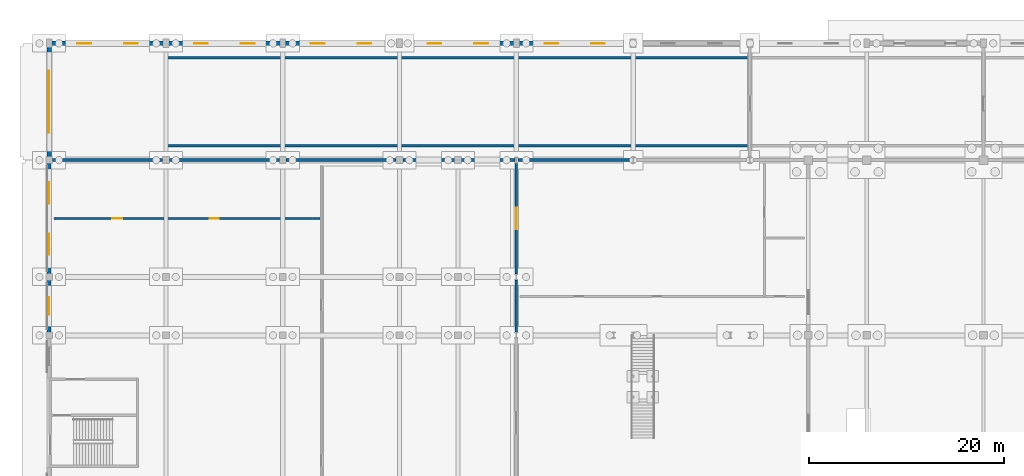
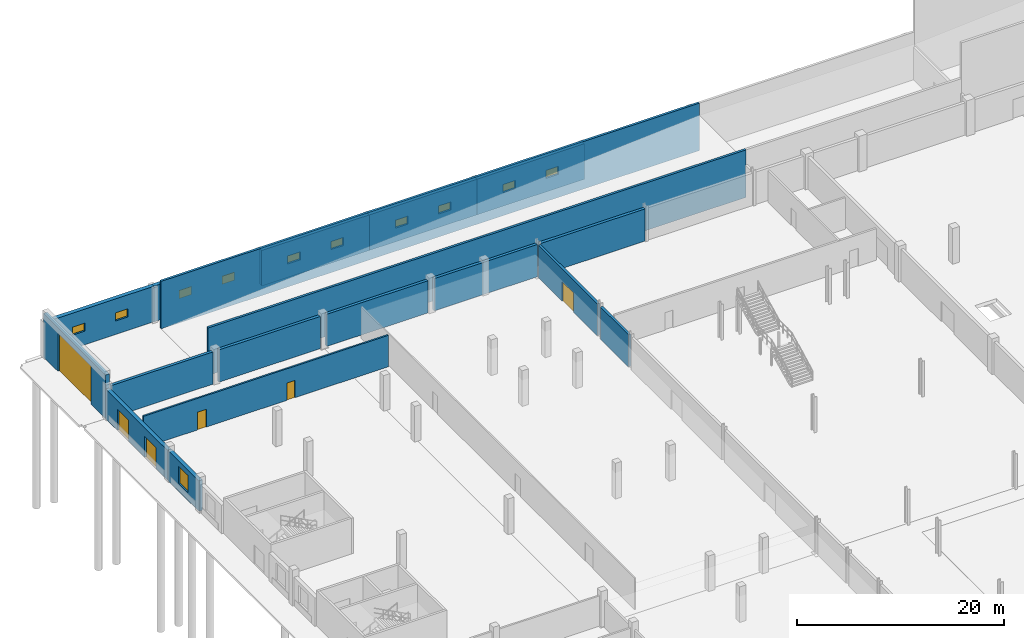
# One storey, part 63 of 77: 18 walls, 11 windows, 6 doors, 17 openings.
"""IFC4 building model written with IfcOpenShell, lengths in metres."""

from ifc_helpers import new_model, si_unit, direction, frame, frame_2d, origin, place, context, subcontext, project, spatial, rectangle, extrude, material, layer, layer_set, type_object, element, fill, save


model = new_model("IFC4")

# Units and contexts
model_context = context("Model", 3, precision=1e-05, world=origin(), true_north=direction((0.0, 1.0)))
body_context = subcontext(model_context, "Body", "Model", "MODEL_VIEW")
ifc_project = project(units=[si_unit("LENGTHUNIT", "METRE"), si_unit("AREAUNIT", "SQUARE_METRE"), si_unit("VOLUMEUNIT", "CUBIC_METRE"), si_unit("PLANEANGLEUNIT", "RADIAN"), si_unit("MASSUNIT", "GRAM", prefix="KILO")], contexts=[model_context])

# Site, building, storey
site_placement = place(None, origin())
site = spatial("IfcSite", under=ifc_project, at=site_placement, CompositionType="ELEMENT")
building_placement = place(site_placement, origin())
building = spatial("IfcBuilding", under=site, at=building_placement, Name="Zilviju Railside Exhibition Hall", CompositionType="ELEMENT")
storey_placement = place(building_placement, origin())
storey = spatial("IfcBuildingStorey", under=building, at=storey_placement, Name="L01", CompositionType="ELEMENT", Elevation=0.0)

# Wall
ifc_material_1 = material(Name="Concrete C35/45", Category="concrete")
ifc_layer_1 = layer(ifc_material_1, 0.280029296875)
ifc_layer_set_1 = layer_set([ifc_layer_1], Name="Concrete C35/45")
wall_type_1 = type_object("IfcWallType", Name="WL-COMP-280", PredefinedType="SHEAR", material=ifc_layer_set_1)
wall_1_placement = place(storey_placement, frame((48.0, 120.302001953125, 0.0), z_axis=(0.0, 0.0, 1.0), x_axis=(0.0, 1.0, 0.0)))
element("IfcWall", 1, at=wall_1_placement, inside=storey, type_object=wall_type_1, Name="REI 180 Congress-Concourse Compartment Wall L01", PredefinedType="SHEAR", context=body_context, shape_type="SweptSolid", body=[
    extrude(rectangle(XDim=5.39599609375, YDim=0.280029296875, at=frame_2d((2.697998046875, 0.0))), origin(), (0.0, 0.0, 1.0), 3.800048828125),
])

# Wall, opening, door
wall_2_placement = place(storey_placement, frame((48.0, 126.302001953125, 0.0), z_axis=(0.0, 0.0, 1.0), x_axis=(0.0, 1.0, 0.0)))
wall_2 = element("IfcWall", 2, at=wall_2_placement, inside=storey, type_object=wall_type_1, Name="REI 180 Congress-Concourse Compartment Wall L01", PredefinedType="SHEAR", context=body_context, shape_type="SweptSolid", body=[
    extrude(rectangle(XDim=11.39599609375, YDim=0.280029296875, at=frame_2d((5.697998046875, 0.0))), origin(), (0.0, 0.0, 1.0), 3.800048828125),
])
opening_1_placement = place(wall_2_placement, frame((4.597900390625, 0.0, 0.0)))
opening_1 = element("IfcOpeningElement", 3, at=opening_1_placement, cuts=wall_2, Name="Opening FD-03", PredefinedType="OPENING", context=body_context, shape_type="SweptSolid", body=[
    extrude(rectangle(XDim=2.199951171875, YDim=2.300048828125, at=frame_2d((1.10009765625, 1.14990234375))), frame((0.0, 0.14990234375, 0.0), z_axis=(0.0, -1.0, 0.0), x_axis=(1.0, 0.0, 0.0)), (0.0, 0.0, 1.0), 0.300048828125),
])
ifc_material_2 = material(Name="Hold-open double compartment fire door EI 60", Category="wood")
door_type_1 = type_object("IfcDoorType", Name="DR-COMP-220x230", OperationType="NOTDEFINED", PredefinedType="DOOR", material=ifc_material_2)
door_1_placement = place(opening_1_placement, origin())
door_1 = element("IfcDoor", 4, at=door_1_placement, inside=storey, type_object=door_type_1, Name="Congress Link Fire Door L01", OperationType="DOUBLE_DOOR_SINGLE_SWING", OverallHeight=2.300048828125, OverallWidth=2.199951171875, PredefinedType="DOOR", context=body_context, shape_type="SweptSolid", body=[
    extrude(rectangle(XDim=2.199951171875, YDim=2.300048828125, at=frame_2d((1.10009765625, 1.14990234375))), frame((0.0, 0.02490234375, 0.0), z_axis=(0.0, -1.0, 0.0), x_axis=(1.0, 0.0, 0.0)), (0.0, 0.0, 1.0), 0.050048828125),
])
fill(opening_1, door_1)

# Walls
ifc_material_3 = material(Name="Concrete C40/50", Category="concrete")
ifc_layer_2 = layer(ifc_material_3, 0.320068359375)
ifc_layer_set_2 = layer_set([ifc_layer_2], Name="Concrete C40/50")
wall_type_2 = type_object("IfcWallType", Name="WL-COMP-320", PredefinedType="SHEAR", material=ifc_layer_set_2)
for number, where, z_axis, x_axis, name in (
    (5, (0.35205078125, 138.0, 0.0), (0.0, 0.0, 1.0), (1.0, 0.0, 0.0), "REI 180 Railside Buffer Compartment Wall L01"),
    (6, (12.35205078125, 138.0, 0.0), (0.0, 0.0, 1.0), (1.0, 0.0, 0.0), "REI 180 Railside Buffer Compartment Wall L01"),
    (7, (24.35205078125, 138.0, 0.0), (0.0, 0.0, 1.0), (1.0, 0.0, 0.0), "REI 180 Railside Buffer Compartment Wall L01"),
):
    element("IfcWall", number, at=place(storey_placement, frame(where, z_axis=z_axis, x_axis=x_axis)), inside=storey, type_object=wall_type_2, Name=name, PredefinedType="SHEAR", context=body_context, shape_type="SweptSolid", body=[
        extrude(rectangle(XDim=11.2958984375, YDim=0.320068359375, at=frame_2d((5.64794921875, 0.0))), origin(), (0.0, 0.0, 1.0), 3.800048828125),
    ])
wall_3_placement = place(storey_placement, frame((36.35205078125, 138.0, 0.0), z_axis=(0.0, 0.0, 1.0), x_axis=(1.0, 0.0, 0.0)))
element("IfcWall", 8, at=wall_3_placement, inside=storey, type_object=wall_type_2, Name="REI 180 Railside Buffer Compartment Wall L01", PredefinedType="SHEAR", context=body_context, shape_type="SweptSolid", body=[
    extrude(rectangle(XDim=11.495849609375, YDim=0.320068359375, at=frame_2d((5.748046875, 0.0))), origin(), (0.0, 0.0, 1.0), 3.800048828125),
])
wall_4_placement = place(storey_placement, frame((48.152099609375, 138.0, 0.0), z_axis=(0.0, 0.0, 1.0), x_axis=(1.0, 0.0, 0.0)))
element("IfcWall", 9, at=wall_4_placement, inside=storey, type_object=wall_type_2, Name="REI 180 Railside Buffer Compartment Wall L01", PredefinedType="SHEAR", context=body_context, shape_type="SweptSolid", body=[
    extrude(rectangle(XDim=11.69580078125, YDim=0.320068359375, at=frame_2d((5.847900390625, 0.0))), origin(), (0.0, 0.0, 1.0), 3.800048828125),
])

# Wall, opening, window
ifc_material_4 = material(Name="Insulated Jugendstils ochre brick facade wall", Category="masonry")
ifc_layer_3 = layer(ifc_material_4, 0.419921875)
ifc_layer_set_3 = layer_set([ifc_layer_3], Name="Insulated Jugendstils ochre brick facade wall")
wall_type_3 = type_object("IfcWallType", Name="WL-EXT-420", PredefinedType="SOLIDWALL", material=ifc_layer_set_3)
wall_5_placement = place(storey_placement, frame((0.0, 120.0, 0.0), z_axis=(0.0, 0.0, 1.0), x_axis=(0.0, 1.0, 0.0)))
wall_5 = element("IfcWall", 10, at=wall_5_placement, inside=storey, type_object=wall_type_3, Name="Exterior Facade Wall L01 West 0470", PredefinedType="SOLIDWALL", context=body_context, shape_type="SweptSolid", body=[
    extrude(rectangle(XDim=6.0, YDim=0.419921875, at=frame_2d((3.0, 0.0))), origin(), (0.0, 0.0, 1.0), 3.56005859375),
])
opening_2_placement = place(wall_5_placement, frame((2.10009765625, 0.0, 0.89990234375)))
opening_2 = element("IfcOpeningElement", 11, at=opening_2_placement, cuts=wall_5, Name="Opening WN-01", PredefinedType="OPENING", context=body_context, shape_type="SweptSolid", body=[
    extrude(rectangle(XDim=1.800048828125, YDim=2.050048828125, at=frame_2d((0.89990234375, 1.02490234375))), frame((0.0, 0.219970703125, 0.0), z_axis=(0.0, -1.0, 0.0), x_axis=(1.0, 0.0, 0.0)), (0.0, 0.0, 1.0), 0.43994140625),
])
ifc_material_5 = material(Name="Triple-glazed timber-aluminium window unit", Category="wood")
window_type_1 = type_object("IfcWindowType", Name="WIN-JUG-180x205", PartitioningType="DOUBLE_PANEL_VERTICAL", PredefinedType="WINDOW", material=ifc_material_5)
window_1_placement = place(opening_2_placement, origin())
window_1 = element("IfcWindow", 12, at=window_1_placement, inside=storey, type_object=window_type_1, Name="Facade Window L01 WN-0042", OverallHeight=2.050048828125, OverallWidth=1.800048828125, PartitioningType="SINGLE_PANEL", PredefinedType="WINDOW", context=body_context, shape_type="SweptSolid", body=[
    extrude(rectangle(XDim=1.800048828125, YDim=2.050048828125, at=frame_2d((0.89990234375, 1.02490234375))), frame((0.0, 0.030029296875, 0.0), z_axis=(0.0, -1.0, 0.0), x_axis=(1.0, 0.0, 0.0)), (0.0, 0.0, 1.0), 0.06005859375),
])
fill(opening_2, window_1)

# Wall, openings, doors
wall_6_placement = place(storey_placement, frame((0.0, 126.0, 0.0), z_axis=(0.0, 0.0, 1.0), x_axis=(0.0, 1.0, 0.0)))
wall_6 = element("IfcWall", 13, at=wall_6_placement, inside=storey, type_object=wall_type_3, Name="Exterior Facade Wall L01 West 0471", PredefinedType="SOLIDWALL", context=body_context, shape_type="SweptSolid", body=[
    extrude(rectangle(XDim=12.0, YDim=0.419921875, at=frame_2d((6.0, 0.0))), origin(), (0.0, 0.0, 1.0), 3.5),
])
opening_3_placement = place(wall_6_placement, frame((2.260009765625, 0.0, 0.0)))
opening_3 = element("IfcOpeningElement", 14, at=opening_3_placement, cuts=wall_6, Name="Opening ED-04", PredefinedType="OPENING", context=body_context, shape_type="SweptSolid", body=[
    extrude(rectangle(XDim=2.199951171875, YDim=2.5, at=frame_2d((1.10009765625, 1.25))), frame((0.0, 0.219970703125, 0.0), z_axis=(0.0, -1.0, 0.0), x_axis=(1.0, 0.0, 0.0)), (0.0, 0.0, 1.0), 0.43994140625),
])
opening_4_placement = place(wall_6_placement, frame((7.5400390625, 0.0, 0.0)))
opening_4 = element("IfcOpeningElement", 15, at=opening_4_placement, cuts=wall_6, Name="Opening ED-04", PredefinedType="OPENING", context=body_context, shape_type="SweptSolid", body=[
    extrude(rectangle(XDim=2.199951171875, YDim=2.5, at=frame_2d((1.10009765625, 1.25))), frame((0.0, 0.219970703125, 0.0), z_axis=(0.0, -1.0, 0.0), x_axis=(1.0, 0.0, 0.0)), (0.0, 0.0, 1.0), 0.43994140625),
])
ifc_material_6 = material(Name="Glazed concourse forecourt entrance door", Category="steel")
door_type_2 = type_object("IfcDoorType", Name="DR-EXT-MAIN-220x250", OperationType="NOTDEFINED", PredefinedType="DOOR", material=ifc_material_6)
door_2_placement = place(opening_3_placement, origin())
door_2 = element("IfcDoor", 16, at=door_2_placement, inside=storey, type_object=door_type_2, Name="Pedestrian Final Exit Door ED-056", OperationType="DOUBLE_DOOR_SINGLE_SWING", OverallHeight=2.5, OverallWidth=2.199951171875, PredefinedType="DOOR", context=body_context, shape_type="SweptSolid", body=[
    extrude(rectangle(XDim=2.199951171875, YDim=2.5, at=frame_2d((1.10009765625, 1.25))), frame((0.0, 0.02490234375, 0.0), z_axis=(0.0, -1.0, 0.0), x_axis=(1.0, 0.0, 0.0)), (0.0, 0.0, 1.0), 0.050048828125),
])
fill(opening_3, door_2)
door_3_placement = place(opening_4_placement, origin())
door_3 = element("IfcDoor", 17, at=door_3_placement, inside=storey, type_object=door_type_2, Name="Pedestrian Final Exit Door ED-057", OperationType="DOUBLE_DOOR_SINGLE_SWING", OverallHeight=2.5, OverallWidth=2.199951171875, PredefinedType="DOOR", context=body_context, shape_type="SweptSolid", body=[
    extrude(rectangle(XDim=2.199951171875, YDim=2.5, at=frame_2d((1.10009765625, 1.25))), frame((0.0, 0.02490234375, 0.0), z_axis=(0.0, -1.0, 0.0), x_axis=(1.0, 0.0, 0.0)), (0.0, 0.0, 1.0), 0.050048828125),
])
fill(opening_4, door_3)

# Wall, openings, windows
ifc_layer_4 = layer(ifc_material_3, 0.43994140625)
ifc_layer_set_4 = layer_set([ifc_layer_4], Name="Concrete C40/50")
wall_type_4 = type_object("IfcWallType", Name="WL-EXT-AC440", PredefinedType="SHEAR", material=ifc_layer_set_4)
wall_7_placement = place(storey_placement, frame((0.0, 150.0, 0.0), z_axis=(0.0, 0.0, 1.0), x_axis=(1.0, 0.0, 0.0)))
wall_7 = element("IfcWall", 18, at=wall_7_placement, inside=storey, type_object=wall_type_4, Name="Exterior Facade Wall L01 North 0521", PredefinedType="SHEAR", context=body_context, shape_type="SweptSolid", body=[
    extrude(rectangle(XDim=12.0, YDim=0.43994140625, at=frame_2d((6.0, 0.0))), origin(), (0.0, 0.0, 1.0), 4.199951171875),
])
opening_5_placement = place(wall_7_placement, frame((2.89990234375, 0.0, 1.60009765625)))
opening_5 = element("IfcOpeningElement", 19, at=opening_5_placement, cuts=wall_7, Name="Opening WN-17", PredefinedType="OPENING", context=body_context, shape_type="SweptSolid", body=[
    extrude(rectangle(XDim=1.39990234375, YDim=0.949951171875, at=frame_2d((0.699951171875, 0.47509765625))), frame((0.0, 0.22998046875, 0.0), z_axis=(0.0, -1.0, 0.0), x_axis=(1.0, 0.0, 0.0)), (0.0, 0.0, 1.0), 0.4599609375),
])
opening_6_placement = place(wall_7_placement, frame((7.699951171875, 0.0, 1.60009765625)))
opening_6 = element("IfcOpeningElement", 20, at=opening_6_placement, cuts=wall_7, Name="Opening WN-17", PredefinedType="OPENING", context=body_context, shape_type="SweptSolid", body=[
    extrude(rectangle(XDim=1.39990234375, YDim=0.949951171875, at=frame_2d((0.699951171875, 0.47509765625))), frame((0.0, 0.22998046875, 0.0), z_axis=(0.0, -1.0, 0.0), x_axis=(1.0, 0.0, 0.0)), (0.0, 0.0, 1.0), 0.4599609375),
])
window_type_2 = type_object("IfcWindowType", Name="WIN-LOG-140x095", PartitioningType="DOUBLE_PANEL_VERTICAL", PredefinedType="WINDOW", material=ifc_material_5)
window_2_placement = place(opening_5_placement, origin())
window_2 = element("IfcWindow", 21, at=window_2_placement, inside=storey, type_object=window_type_2, Name="Facade Window L01 WN-0086", OverallHeight=0.949951171875, OverallWidth=1.39990234375, PartitioningType="SINGLE_PANEL", PredefinedType="WINDOW", context=body_context, shape_type="SweptSolid", body=[
    extrude(rectangle(XDim=1.39990234375, YDim=0.949951171875, at=frame_2d((0.699951171875, 0.47509765625))), frame((0.0, 0.030029296875, 0.0), z_axis=(0.0, -1.0, 0.0), x_axis=(1.0, 0.0, 0.0)), (0.0, 0.0, 1.0), 0.06005859375),
])
fill(opening_5, window_2)
window_3_placement = place(opening_6_placement, origin())
window_3 = element("IfcWindow", 22, at=window_3_placement, inside=storey, type_object=window_type_2, Name="Facade Window L01 WN-0087", OverallHeight=0.949951171875, OverallWidth=1.39990234375, PartitioningType="SINGLE_PANEL", PredefinedType="WINDOW", context=body_context, shape_type="SweptSolid", body=[
    extrude(rectangle(XDim=1.39990234375, YDim=0.949951171875, at=frame_2d((0.699951171875, 0.47509765625))), frame((0.0, 0.030029296875, 0.0), z_axis=(0.0, -1.0, 0.0), x_axis=(1.0, 0.0, 0.0)), (0.0, 0.0, 1.0), 0.06005859375),
])
fill(opening_6, window_3)

wall_8_placement = place(storey_placement, frame((12.0, 150.0, 0.0), z_axis=(0.0, 0.0, 1.0), x_axis=(1.0, 0.0, 0.0)))
wall_8 = element("IfcWall", 23, at=wall_8_placement, inside=storey, type_object=wall_type_4, Name="Exterior Facade Wall L01 North 0522", PredefinedType="SHEAR", context=body_context, shape_type="SweptSolid", body=[
    extrude(rectangle(XDim=12.0, YDim=0.43994140625, at=frame_2d((6.0, 0.0))), origin(), (0.0, 0.0, 1.0), 4.199951171875),
])
opening_7_placement = place(wall_8_placement, frame((2.89990234375, 0.0, 1.60009765625)))
opening_7 = element("IfcOpeningElement", 24, at=opening_7_placement, cuts=wall_8, Name="Opening WN-17", PredefinedType="OPENING", context=body_context, shape_type="SweptSolid", body=[
    extrude(rectangle(XDim=1.39990234375, YDim=0.949951171875, at=frame_2d((0.699951171875, 0.47509765625))), frame((0.0, 0.22998046875, 0.0), z_axis=(0.0, -1.0, 0.0), x_axis=(1.0, 0.0, 0.0)), (0.0, 0.0, 1.0), 0.4599609375),
])
opening_8_placement = place(wall_8_placement, frame((7.699951171875, 0.0, 1.60009765625)))
opening_8 = element("IfcOpeningElement", 25, at=opening_8_placement, cuts=wall_8, Name="Opening WN-17", PredefinedType="OPENING", context=body_context, shape_type="SweptSolid", body=[
    extrude(rectangle(XDim=1.39990234375, YDim=0.949951171875, at=frame_2d((0.699951171875, 0.47509765625))), frame((0.0, 0.22998046875, 0.0), z_axis=(0.0, -1.0, 0.0), x_axis=(1.0, 0.0, 0.0)), (0.0, 0.0, 1.0), 0.4599609375),
])
window_4_placement = place(opening_7_placement, origin())
window_4 = element("IfcWindow", 26, at=window_4_placement, inside=storey, type_object=window_type_2, Name="Facade Window L01 WN-0088", OverallHeight=0.949951171875, OverallWidth=1.39990234375, PartitioningType="SINGLE_PANEL", PredefinedType="WINDOW", context=body_context, shape_type="SweptSolid", body=[
    extrude(rectangle(XDim=1.39990234375, YDim=0.949951171875, at=frame_2d((0.699951171875, 0.47509765625))), frame((0.0, 0.030029296875, 0.0), z_axis=(0.0, -1.0, 0.0), x_axis=(1.0, 0.0, 0.0)), (0.0, 0.0, 1.0), 0.06005859375),
])
fill(opening_7, window_4)
window_5_placement = place(opening_8_placement, origin())
window_5 = element("IfcWindow", 27, at=window_5_placement, inside=storey, type_object=window_type_2, Name="Facade Window L01 WN-0089", OverallHeight=0.949951171875, OverallWidth=1.39990234375, PartitioningType="SINGLE_PANEL", PredefinedType="WINDOW", context=body_context, shape_type="SweptSolid", body=[
    extrude(rectangle(XDim=1.39990234375, YDim=0.949951171875, at=frame_2d((0.699951171875, 0.47509765625))), frame((0.0, 0.030029296875, 0.0), z_axis=(0.0, -1.0, 0.0), x_axis=(1.0, 0.0, 0.0)), (0.0, 0.0, 1.0), 0.06005859375),
])
fill(opening_8, window_5)

wall_9_placement = place(storey_placement, frame((24.0, 150.0, 0.0), z_axis=(0.0, 0.0, 1.0), x_axis=(1.0, 0.0, 0.0)))
wall_9 = element("IfcWall", 28, at=wall_9_placement, inside=storey, type_object=wall_type_4, Name="Exterior Facade Wall L01 North 0523", PredefinedType="SHEAR", context=body_context, shape_type="SweptSolid", body=[
    extrude(rectangle(XDim=12.0, YDim=0.43994140625, at=frame_2d((6.0, 0.0))), origin(), (0.0, 0.0, 1.0), 4.199951171875),
])
opening_9_placement = place(wall_9_placement, frame((2.89990234375, 0.0, 1.60009765625)))
opening_9 = element("IfcOpeningElement", 29, at=opening_9_placement, cuts=wall_9, Name="Opening WN-17", PredefinedType="OPENING", context=body_context, shape_type="SweptSolid", body=[
    extrude(rectangle(XDim=1.39990234375, YDim=0.949951171875, at=frame_2d((0.699951171875, 0.47509765625))), frame((0.0, 0.22998046875, 0.0), z_axis=(0.0, -1.0, 0.0), x_axis=(1.0, 0.0, 0.0)), (0.0, 0.0, 1.0), 0.4599609375),
])
opening_10_placement = place(wall_9_placement, frame((7.699951171875, 0.0, 1.60009765625)))
opening_10 = element("IfcOpeningElement", 30, at=opening_10_placement, cuts=wall_9, Name="Opening WN-17", PredefinedType="OPENING", context=body_context, shape_type="SweptSolid", body=[
    extrude(rectangle(XDim=1.39990234375, YDim=0.949951171875, at=frame_2d((0.699951171875, 0.47509765625))), frame((0.0, 0.22998046875, 0.0), z_axis=(0.0, -1.0, 0.0), x_axis=(1.0, 0.0, 0.0)), (0.0, 0.0, 1.0), 0.4599609375),
])
window_6_placement = place(opening_9_placement, origin())
window_6 = element("IfcWindow", 31, at=window_6_placement, inside=storey, type_object=window_type_2, Name="Facade Window L01 WN-0090", OverallHeight=0.949951171875, OverallWidth=1.39990234375, PartitioningType="SINGLE_PANEL", PredefinedType="WINDOW", context=body_context, shape_type="SweptSolid", body=[
    extrude(rectangle(XDim=1.39990234375, YDim=0.949951171875, at=frame_2d((0.699951171875, 0.47509765625))), frame((0.0, 0.030029296875, 0.0), z_axis=(0.0, -1.0, 0.0), x_axis=(1.0, 0.0, 0.0)), (0.0, 0.0, 1.0), 0.06005859375),
])
fill(opening_9, window_6)
window_7_placement = place(opening_10_placement, origin())
window_7 = element("IfcWindow", 32, at=window_7_placement, inside=storey, type_object=window_type_2, Name="Facade Window L01 WN-0091", OverallHeight=0.949951171875, OverallWidth=1.39990234375, PartitioningType="SINGLE_PANEL", PredefinedType="WINDOW", context=body_context, shape_type="SweptSolid", body=[
    extrude(rectangle(XDim=1.39990234375, YDim=0.949951171875, at=frame_2d((0.699951171875, 0.47509765625))), frame((0.0, 0.030029296875, 0.0), z_axis=(0.0, -1.0, 0.0), x_axis=(1.0, 0.0, 0.0)), (0.0, 0.0, 1.0), 0.06005859375),
])
fill(opening_10, window_7)

wall_10_placement = place(storey_placement, frame((36.0, 150.0, 0.0), z_axis=(0.0, 0.0, 1.0), x_axis=(1.0, 0.0, 0.0)))
wall_10 = element("IfcWall", 33, at=wall_10_placement, inside=storey, type_object=wall_type_4, Name="Exterior Facade Wall L01 North 0524", PredefinedType="SHEAR", context=body_context, shape_type="SweptSolid", body=[
    extrude(rectangle(XDim=12.0, YDim=0.43994140625, at=frame_2d((6.0, 0.0))), origin(), (0.0, 0.0, 1.0), 4.199951171875),
])
opening_11_placement = place(wall_10_placement, frame((2.89990234375, 0.0, 1.60009765625)))
opening_11 = element("IfcOpeningElement", 34, at=opening_11_placement, cuts=wall_10, Name="Opening WN-17", PredefinedType="OPENING", context=body_context, shape_type="SweptSolid", body=[
    extrude(rectangle(XDim=1.39990234375, YDim=0.949951171875, at=frame_2d((0.699951171875, 0.47509765625))), frame((0.0, 0.22998046875, 0.0), z_axis=(0.0, -1.0, 0.0), x_axis=(1.0, 0.0, 0.0)), (0.0, 0.0, 1.0), 0.4599609375),
])
opening_12_placement = place(wall_10_placement, frame((7.699951171875, 0.0, 1.60009765625)))
opening_12 = element("IfcOpeningElement", 35, at=opening_12_placement, cuts=wall_10, Name="Opening WN-17", PredefinedType="OPENING", context=body_context, shape_type="SweptSolid", body=[
    extrude(rectangle(XDim=1.39990234375, YDim=0.949951171875, at=frame_2d((0.699951171875, 0.47509765625))), frame((0.0, 0.22998046875, 0.0), z_axis=(0.0, -1.0, 0.0), x_axis=(1.0, 0.0, 0.0)), (0.0, 0.0, 1.0), 0.4599609375),
])
window_8_placement = place(opening_11_placement, origin())
window_8 = element("IfcWindow", 36, at=window_8_placement, inside=storey, type_object=window_type_2, Name="Facade Window L01 WN-0092", OverallHeight=0.949951171875, OverallWidth=1.39990234375, PartitioningType="SINGLE_PANEL", PredefinedType="WINDOW", context=body_context, shape_type="SweptSolid", body=[
    extrude(rectangle(XDim=1.39990234375, YDim=0.949951171875, at=frame_2d((0.699951171875, 0.47509765625))), frame((0.0, 0.030029296875, 0.0), z_axis=(0.0, -1.0, 0.0), x_axis=(1.0, 0.0, 0.0)), (0.0, 0.0, 1.0), 0.06005859375),
])
fill(opening_11, window_8)
window_9_placement = place(opening_12_placement, origin())
window_9 = element("IfcWindow", 37, at=window_9_placement, inside=storey, type_object=window_type_2, Name="Facade Window L01 WN-0093", OverallHeight=0.949951171875, OverallWidth=1.39990234375, PartitioningType="SINGLE_PANEL", PredefinedType="WINDOW", context=body_context, shape_type="SweptSolid", body=[
    extrude(rectangle(XDim=1.39990234375, YDim=0.949951171875, at=frame_2d((0.699951171875, 0.47509765625))), frame((0.0, 0.030029296875, 0.0), z_axis=(0.0, -1.0, 0.0), x_axis=(1.0, 0.0, 0.0)), (0.0, 0.0, 1.0), 0.06005859375),
])
fill(opening_12, window_9)

wall_11_placement = place(storey_placement, frame((48.0, 150.0, 0.0), z_axis=(0.0, 0.0, 1.0), x_axis=(1.0, 0.0, 0.0)))
wall_11 = element("IfcWall", 38, at=wall_11_placement, inside=storey, type_object=wall_type_4, Name="Exterior Facade Wall L01 North 0525", PredefinedType="SHEAR", context=body_context, shape_type="SweptSolid", body=[
    extrude(rectangle(XDim=12.0, YDim=0.43994140625, at=frame_2d((6.0, 0.0))), origin(), (0.0, 0.0, 1.0), 4.199951171875),
])
opening_13_placement = place(wall_11_placement, frame((2.89990234375, 0.0, 1.60009765625)))
opening_13 = element("IfcOpeningElement", 39, at=opening_13_placement, cuts=wall_11, Name="Opening WN-17", PredefinedType="OPENING", context=body_context, shape_type="SweptSolid", body=[
    extrude(rectangle(XDim=1.39990234375, YDim=0.949951171875, at=frame_2d((0.699951171875, 0.47509765625))), frame((0.0, 0.22998046875, 0.0), z_axis=(0.0, -1.0, 0.0), x_axis=(1.0, 0.0, 0.0)), (0.0, 0.0, 1.0), 0.4599609375),
])
opening_14_placement = place(wall_11_placement, frame((7.699951171875, 0.0, 1.60009765625)))
opening_14 = element("IfcOpeningElement", 40, at=opening_14_placement, cuts=wall_11, Name="Opening WN-17", PredefinedType="OPENING", context=body_context, shape_type="SweptSolid", body=[
    extrude(rectangle(XDim=1.39990234375, YDim=0.949951171875, at=frame_2d((0.699951171875, 0.47509765625))), frame((0.0, 0.22998046875, 0.0), z_axis=(0.0, -1.0, 0.0), x_axis=(1.0, 0.0, 0.0)), (0.0, 0.0, 1.0), 0.4599609375),
])
window_10_placement = place(opening_13_placement, origin())
window_10 = element("IfcWindow", 41, at=window_10_placement, inside=storey, type_object=window_type_2, Name="Facade Window L01 WN-0094", OverallHeight=0.949951171875, OverallWidth=1.39990234375, PartitioningType="SINGLE_PANEL", PredefinedType="WINDOW", context=body_context, shape_type="SweptSolid", body=[
    extrude(rectangle(XDim=1.39990234375, YDim=0.949951171875, at=frame_2d((0.699951171875, 0.47509765625))), frame((0.0, 0.030029296875, 0.0), z_axis=(0.0, -1.0, 0.0), x_axis=(1.0, 0.0, 0.0)), (0.0, 0.0, 1.0), 0.06005859375),
])
fill(opening_13, window_10)
window_11_placement = place(opening_14_placement, origin())
window_11 = element("IfcWindow", 42, at=window_11_placement, inside=storey, type_object=window_type_2, Name="Facade Window L01 WN-0095", OverallHeight=0.949951171875, OverallWidth=1.39990234375, PartitioningType="SINGLE_PANEL", PredefinedType="WINDOW", context=body_context, shape_type="SweptSolid", body=[
    extrude(rectangle(XDim=1.39990234375, YDim=0.949951171875, at=frame_2d((0.699951171875, 0.47509765625))), frame((0.0, 0.030029296875, 0.0), z_axis=(0.0, -1.0, 0.0), x_axis=(1.0, 0.0, 0.0)), (0.0, 0.0, 1.0), 0.06005859375),
])
fill(opening_14, window_11)

# Wall, opening, door
wall_12_placement = place(storey_placement, frame((0.0, 138.0, 0.0), z_axis=(0.0, 0.0, 1.0), x_axis=(0.0, 1.0, 0.0)))
wall_12 = element("IfcWall", 43, at=wall_12_placement, inside=storey, type_object=wall_type_4, Name="Exterior Facade Wall L01 West 0575", PredefinedType="SHEAR", context=body_context, shape_type="SweptSolid", body=[
    extrude(rectangle(XDim=12.0, YDim=0.43994140625, at=frame_2d((6.0, 0.0))), origin(), (0.0, 0.0, 1.0), 5.14990234375),
])
opening_15_placement = place(wall_12_placement, frame((2.800048828125, 0.0, 0.0)))
opening_15 = element("IfcOpeningElement", 44, at=opening_15_placement, cuts=wall_12, Name="Opening VG-01", PredefinedType="OPENING", context=body_context, shape_type="SweptSolid", body=[
    extrude(rectangle(XDim=6.39990234375, YDim=4.5, at=frame_2d((3.199951171875, 2.25))), frame((0.0, 0.22998046875, 0.0), z_axis=(0.0, -1.0, 0.0), x_axis=(1.0, 0.0, 0.0)), (0.0, 0.0, 1.0), 0.4599609375),
])
ifc_material_7 = material(Name="Insulated steel HGV sectional roller shutter gate", Category="steel")
door_type_3 = type_object("IfcDoorType", Name="GT-HGV-640x450", OperationType="NOTDEFINED", PredefinedType="GATE", material=ifc_material_7)
door_4_placement = place(opening_15_placement, origin())
door_4 = element("IfcDoor", 45, at=door_4_placement, inside=storey, type_object=door_type_3, Name="HGV Truck Ramp West Entry Gate VG-01", OperationType="ROLLINGUP", OverallHeight=4.5, OverallWidth=6.39990234375, PredefinedType="GATE", context=body_context, shape_type="SweptSolid", body=[
    extrude(rectangle(XDim=6.39990234375, YDim=4.5, at=frame_2d((3.199951171875, 2.25))), frame((0.0, 0.02490234375, 0.0), z_axis=(0.0, -1.0, 0.0), x_axis=(1.0, 0.0, 0.0)), (0.0, 0.0, 1.0), 0.050048828125),
])
fill(opening_15, door_4)

# Wall, openings, doors
ifc_material_8 = material(Name="Accessible WC sanitary chase wall", Category="masonry")
ifc_layer_5 = layer(ifc_material_8, 0.18994140625)
ifc_layer_set_5 = layer_set([ifc_layer_5], Name="Accessible WC sanitary chase wall")
wall_type_5 = type_object("IfcWallType", Name="WL-PLMB-190", PredefinedType="PLUMBINGWALL", material=ifc_layer_set_5)
wall_13_placement = place(storey_placement, frame((0.5, 132.0, 0.0), z_axis=(0.0, 0.0, 1.0), x_axis=(1.0, 0.0, 0.0)))
wall_13 = element("IfcWall", 46, at=wall_13_placement, inside=storey, type_object=wall_type_5, Name="Restaurant WC Partition", PredefinedType="PLUMBINGWALL", context=body_context, shape_type="SweptSolid", body=[
    extrude(rectangle(XDim=27.300048828125, YDim=0.18994140625, at=frame_2d((13.64990234375, 0.0))), origin(), (0.0, 0.0, 1.0), 3.719970703125),
])
opening_16_placement = place(wall_13_placement, frame((6.0, 0.0, 0.0)))
opening_16 = element("IfcOpeningElement", 47, at=opening_16_placement, cuts=wall_13, Name="Opening WD-01", PredefinedType="OPENING", context=body_context, shape_type="SweptSolid", body=[
    extrude(rectangle(XDim=1.0, YDim=2.10009765625, at=frame_2d((0.5, 1.050048828125))), frame((0.0, 0.10498046875, 0.0), z_axis=(0.0, -1.0, 0.0), x_axis=(1.0, 0.0, 0.0)), (0.0, 0.0, 1.0), 0.2099609375),
])
opening_17_placement = place(wall_13_placement, frame((16.0, 0.0, 0.0)))
opening_17 = element("IfcOpeningElement", 48, at=opening_17_placement, cuts=wall_13, Name="Opening WD-02", PredefinedType="OPENING", context=body_context, shape_type="SweptSolid", body=[
    extrude(rectangle(XDim=0.89990234375, YDim=2.050048828125, at=frame_2d((0.449951171875, 1.02490234375))), frame((0.0, 0.10498046875, 0.0), z_axis=(0.0, -1.0, 0.0), x_axis=(1.0, 0.0, 0.0)), (0.0, 0.0, 1.0), 0.2099609375),
])
ifc_material_9 = material(Name="Accessible WC outward-opening door", Category="wood")
door_type_4 = type_object("IfcDoorType", Name="DR-WC-ACC-100x210", OperationType="NOTDEFINED", PredefinedType="DOOR", material=ifc_material_9)
door_5_placement = place(opening_16_placement, origin())
door_5 = element("IfcDoor", 49, at=door_5_placement, inside=storey, type_object=door_type_4, Name="Restaurant Accessible WC Door", OperationType="SINGLE_SWING_RIGHT", OverallHeight=2.10009765625, OverallWidth=1.0, PredefinedType="DOOR", context=body_context, shape_type="SweptSolid", body=[
    extrude(rectangle(XDim=1.0, YDim=2.10009765625, at=frame_2d((0.5, 1.050048828125))), frame((0.0, 0.02490234375, 0.0), z_axis=(0.0, -1.0, 0.0), x_axis=(1.0, 0.0, 0.0)), (0.0, 0.0, 1.0), 0.050048828125),
])
fill(opening_16, door_5)
ifc_material_10 = material(Name="Sanitary washroom timber door", Category="wood")
door_type_5 = type_object("IfcDoorType", Name="DR-WC-STD-090x205", OperationType="NOTDEFINED", PredefinedType="DOOR", material=ifc_material_10)
door_6_placement = place(opening_17_placement, origin())
door_6 = element("IfcDoor", 50, at=door_6_placement, inside=storey, type_object=door_type_5, Name="Restaurant Washroom Door", OperationType="SINGLE_SWING_LEFT", OverallHeight=2.050048828125, OverallWidth=0.89990234375, PredefinedType="DOOR", context=body_context, shape_type="SweptSolid", body=[
    extrude(rectangle(XDim=0.89990234375, YDim=2.050048828125, at=frame_2d((0.449951171875, 1.02490234375))), frame((0.0, 0.02490234375, 0.0), z_axis=(0.0, -1.0, 0.0), x_axis=(1.0, 0.0, 0.0)), (0.0, 0.0, 1.0), 0.050048828125),
])
fill(opening_17, door_6)

# Walls
ifc_layer_6 = layer(ifc_material_3, 0.260009765625)
ifc_layer_set_6 = layer_set([ifc_layer_6], Name="Concrete C40/50")
wall_type_6 = type_object("IfcWallType", Name="WL-RAMP-260", PredefinedType="SHEAR", material=ifc_layer_set_6)
for number, where, z_axis, x_axis, name in (
    (51, (12.0, 139.469970703125, 0.0), (0.0, 0.0, 1.0), (1.0, 0.0, 0.0), "HGV Truck Ramp Bearing Wall 1S"),
    (52, (12.0, 148.530029296875, 0.0), (0.0, 0.0, 1.0), (1.0, 0.0, 0.0), "HGV Truck Ramp Bearing Wall 1N"),
):
    element("IfcWall", number, at=place(storey_placement, frame(where, z_axis=z_axis, x_axis=x_axis)), inside=storey, type_object=wall_type_6, Name=name, PredefinedType="SHEAR", context=body_context, shape_type="SweptSolid", body=[
        extrude(rectangle(XDim=60.0, YDim=0.260009765625, at=frame_2d((30.0, 0.0))), origin(), (0.0, 0.0, 1.0), 5.60009765625),
    ])

save(model, "model.ifc")
